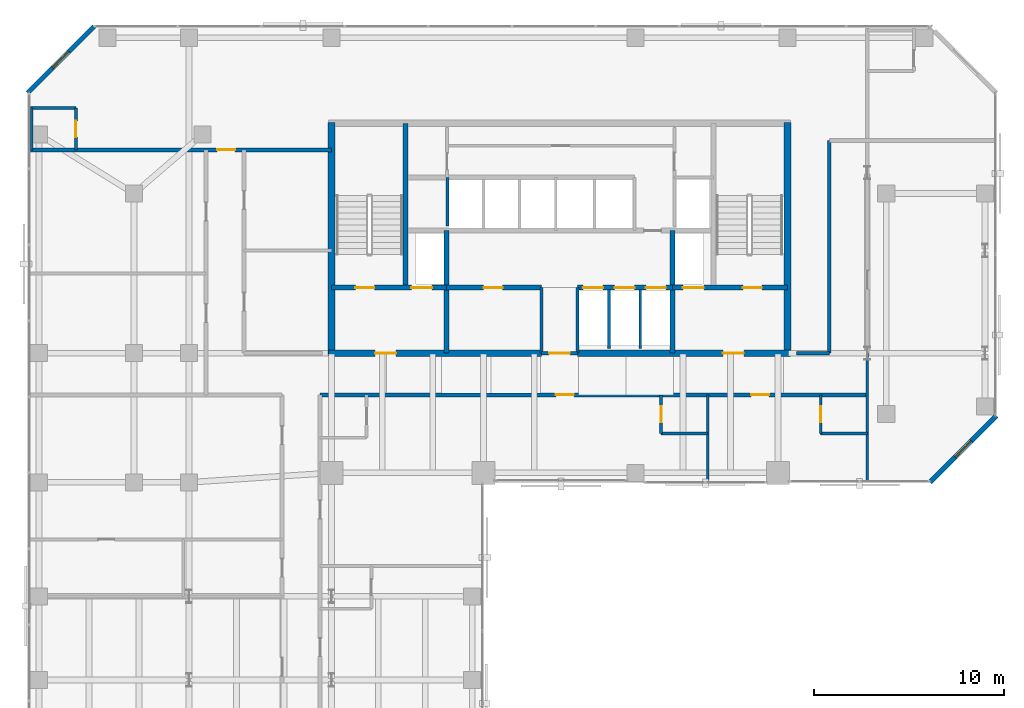
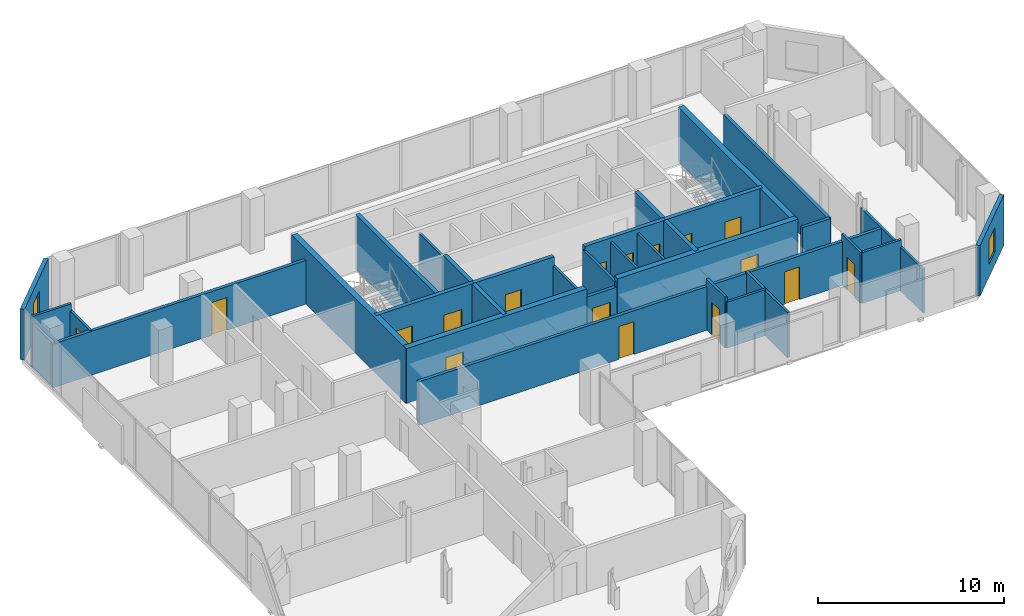
# One storey, part 29 of 33: 32 walls, 17 doors, 2 windows, 19 openings.
"""IFC4 building model written with IfcOpenShell, lengths in metres."""

from ifc_helpers import new_model, si_unit, direction, frame, frame_2d, origin, place, context, subcontext, project, spatial, rectangle, extrude, material, layer, layer_set, type_object, element, fill, save


model = new_model("IFC4")

# Units and contexts
model_context = context("Model", 3, precision=1e-05, world=origin(), true_north=direction((0.0, 1.0)))
body_context = subcontext(model_context, "Body", "Model", "MODEL_VIEW")
ifc_project = project(units=[si_unit("LENGTHUNIT", "METRE"), si_unit("AREAUNIT", "SQUARE_METRE"), si_unit("VOLUMEUNIT", "CUBIC_METRE"), si_unit("PLANEANGLEUNIT", "RADIAN"), si_unit("MASSUNIT", "GRAM", prefix="KILO")], contexts=[model_context])

# Site, building, storey
site_placement = place(None, origin())
site = spatial("IfcSite", under=ifc_project, at=site_placement, CompositionType="ELEMENT")
building_placement = place(site_placement, origin())
building = spatial("IfcBuilding", under=site, at=building_placement, Name="Catumbela Crestline Tower", CompositionType="ELEMENT")
storey_placement = place(building_placement, frame((0.0, 0.0, 108.0)))
storey = spatial("IfcBuildingStorey", under=building, at=storey_placement, Name="L27", CompositionType="ELEMENT", Elevation=108.0)

# Walls
ifc_material_1 = material(Name="Concrete C50/60", Category="concrete")
ifc_layer_1 = layer(ifc_material_1, 0.25, Name="Concrete C50/60")
ifc_layer_set_1 = layer_set([ifc_layer_1], Name="Concrete C50/60")
wall_type_1 = type_object("IfcWallType", Name="CW-250D", PredefinedType="SHEAR", material=ifc_layer_set_1)
wall_1_placement = place(storey_placement, frame((19.9, 34.25, 0.0), z_axis=(0.0, 0.0, 1.0), x_axis=(0.0, 1.0, 0.0)))
element("IfcWall", 1, at=wall_1_placement, inside=storey, type_object=wall_type_1, Name="L27 Structural Core Shear Wall WWEB", PredefinedType="SHEAR", context=body_context, shape_type="SweptSolid", body=[
    extrude(rectangle(XDim=8.65, YDim=0.25, at=frame_2d((4.325, 0.0))), origin(), (0.0, 0.0, 1.0), 3.6),
])
for number, where, z_axis, x_axis, name in (
    (2, (22.05, 30.8, 0.0), (0.0, 0.0, 1.0), (0.0, 1.0, 0.0), "L27 Structural Core Shear Wall FFW"),
    (3, (33.95, 30.8, 0.0), (0.0, 0.0, 1.0), (0.0, 1.0, 0.0), "L27 Structural Core Shear Wall FFE"),
):
    element("IfcWall", number, at=place(storey_placement, frame(where, z_axis=z_axis, x_axis=x_axis)), inside=storey, type_object=wall_type_1, Name=name, PredefinedType="SHEAR", context=body_context, shape_type="SweptSolid", body=[
        extrude(rectangle(XDim=6.45, YDim=0.25, at=frame_2d((3.225, 0.0))), origin(), (0.0, 0.0, 1.0), 3.6),
    ])

# Wall, openings, doors
wall_2_placement = place(storey_placement, frame((16.0, 34.25, 0.0), z_axis=(0.0, 0.0, 1.0), x_axis=(1.0, 0.0, 0.0)))
wall_2 = element("IfcWall", 4, at=wall_2_placement, inside=storey, type_object=wall_type_1, Name="L27 Structural Core Shear Wall ST1S", PredefinedType="SHEAR", context=body_context, shape_type="SweptSolid", body=[
    extrude(rectangle(XDim=6.05, YDim=0.25, at=frame_2d((3.025, 0.0))), origin(), (0.0, 0.0, 1.0), 3.6),
])
opening_1_placement = place(wall_2_placement, frame((1.25, 0.0, 0.0)))
opening_1 = element("IfcOpeningElement", 5, at=opening_1_placement, cuts=wall_2, Name="Opening DF9-100", PredefinedType="OPENING", context=body_context, shape_type="SweptSolid", body=[
    extrude(rectangle(XDim=1.0, YDim=2.15, at=frame_2d((0.5, 1.075))), frame((0.0, 0.135, 0.0), z_axis=(0.0, -1.0, 0.0), x_axis=(1.0, 0.0, 0.0)), (0.0, 0.0, 1.0), 0.27),
])
opening_2_placement = place(wall_2_placement, frame((4.2, 0.0, 0.0)))
opening_2 = element("IfcOpeningElement", 6, at=opening_2_placement, cuts=wall_2, Name="Opening LD-110", PredefinedType="OPENING", context=body_context, shape_type="SweptSolid", body=[
    extrude(rectangle(XDim=1.1, YDim=2.15, at=frame_2d((0.55, 1.075))), frame((0.0, 0.135, 0.0), z_axis=(0.0, -1.0, 0.0), x_axis=(1.0, 0.0, 0.0)), (0.0, 0.0, 1.0), 0.27),
])
ifc_material_2 = material(Name="Stainless steel EN 1.4401", Category="steel")
door_type_1 = type_object("IfcDoorType", Name="DF9-100", OperationType="NOTDEFINED", PredefinedType="DOOR", material=ifc_material_2)
door_1_placement = place(opening_1_placement, origin())
door_1 = element("IfcDoor", 7, at=door_1_placement, inside=storey, type_object=door_type_1, Name="L27 Interior Door DR-L27-ST01", OperationType="SINGLE_SWING_LEFT", OverallHeight=2.15, OverallWidth=1.0, PredefinedType="DOOR", context=body_context, shape_type="SweptSolid", body=[
    extrude(rectangle(XDim=1.0, YDim=2.15, at=frame_2d((0.5, 1.075))), frame((0.0, 0.025, 0.0), z_axis=(0.0, -1.0, 0.0), x_axis=(1.0, 0.0, 0.0)), (0.0, 0.0, 1.0), 0.05),
])
fill(opening_1, door_1)
door_type_2 = type_object("IfcDoorType", Name="LD-110", OperationType="NOTDEFINED", PredefinedType="DOOR", material=ifc_material_2)
door_2_placement = place(opening_2_placement, origin())
door_2 = element("IfcDoor", 8, at=door_2_placement, inside=storey, type_object=door_type_2, Name="L27 Lift Landing Sliding Door FL-01", OperationType="DOUBLE_DOOR_SLIDING", OverallHeight=2.15, OverallWidth=1.1, PredefinedType="DOOR", context=body_context, shape_type="SweptSolid", body=[
    extrude(rectangle(XDim=1.1, YDim=2.15, at=frame_2d((0.55, 1.075))), frame((0.0, 0.025, 0.0), z_axis=(0.0, -1.0, 0.0), x_axis=(1.0, 0.0, 0.0)), (0.0, 0.0, 1.0), 0.05),
])
fill(opening_2, door_2)

wall_3_placement = place(storey_placement, frame((33.95, 34.25, 0.0), z_axis=(0.0, 0.0, 1.0), x_axis=(1.0, 0.0, 0.0)))
wall_3 = element("IfcWall", 9, at=wall_3_placement, inside=storey, type_object=wall_type_1, Name="L27 Structural Core Shear Wall ST2S", PredefinedType="SHEAR", context=body_context, shape_type="SweptSolid", body=[
    extrude(rectangle(XDim=6.05, YDim=0.25, at=frame_2d((3.025, 0.0))), origin(), (0.0, 0.0, 1.0), 3.6),
])
opening_3_placement = place(wall_3_placement, frame((3.7, 0.0, 0.0)))
opening_3 = element("IfcOpeningElement", 10, at=opening_3_placement, cuts=wall_3, Name="Opening DF9-100", PredefinedType="OPENING", context=body_context, shape_type="SweptSolid", body=[
    extrude(rectangle(XDim=1.0, YDim=2.15, at=frame_2d((0.5, 1.075))), frame((0.0, 0.135, 0.0), z_axis=(0.0, -1.0, 0.0), x_axis=(1.0, 0.0, 0.0)), (0.0, 0.0, 1.0), 0.27),
])
opening_4_placement = place(wall_3_placement, frame((0.55, 0.0, 0.0)))
opening_4 = element("IfcOpeningElement", 11, at=opening_4_placement, cuts=wall_3, Name="Opening LD-110", PredefinedType="OPENING", context=body_context, shape_type="SweptSolid", body=[
    extrude(rectangle(XDim=1.1, YDim=2.15, at=frame_2d((0.55, 1.075))), frame((0.0, 0.135, 0.0), z_axis=(0.0, -1.0, 0.0), x_axis=(1.0, 0.0, 0.0)), (0.0, 0.0, 1.0), 0.27),
])
door_3_placement = place(opening_3_placement, origin())
door_3 = element("IfcDoor", 12, at=door_3_placement, inside=storey, type_object=door_type_1, Name="L27 Interior Door DR-L27-ST02", OperationType="SINGLE_SWING_RIGHT", OverallHeight=2.15, OverallWidth=1.0, PredefinedType="DOOR", context=body_context, shape_type="SweptSolid", body=[
    extrude(rectangle(XDim=1.0, YDim=2.15, at=frame_2d((0.5, 1.075))), frame((0.0, 0.025, 0.0), z_axis=(0.0, -1.0, 0.0), x_axis=(1.0, 0.0, 0.0)), (0.0, 0.0, 1.0), 0.05),
])
fill(opening_3, door_3)
door_4_placement = place(opening_4_placement, origin())
door_4 = element("IfcDoor", 13, at=door_4_placement, inside=storey, type_object=door_type_2, Name="L27 Lift Landing Sliding Door FL-02", OperationType="DOUBLE_DOOR_SLIDING", OverallHeight=2.15, OverallWidth=1.1, PredefinedType="DOOR", context=body_context, shape_type="SweptSolid", body=[
    extrude(rectangle(XDim=1.1, YDim=2.15, at=frame_2d((0.55, 1.075))), frame((0.0, 0.025, 0.0), z_axis=(0.0, -1.0, 0.0), x_axis=(1.0, 0.0, 0.0)), (0.0, 0.0, 1.0), 0.05),
])
fill(opening_4, door_4)

# Wall, opening, door
wall_4_placement = place(storey_placement, frame((22.05, 34.25, 0.0), z_axis=(0.0, 0.0, 1.0), x_axis=(1.0, 0.0, 0.0)))
wall_4 = element("IfcWall", 14, at=wall_4_placement, inside=storey, type_object=wall_type_1, Name="L27 Structural Core Shear Wall LIFTS-W", PredefinedType="SHEAR", context=body_context, shape_type="SweptSolid", body=[
    extrude(rectangle(XDim=5.0, YDim=0.25, at=frame_2d((2.5, 0.0))), origin(), (0.0, 0.0, 1.0), 3.6),
])
opening_5_placement = place(wall_4_placement, frame((1.95, 0.0, 0.0)))
opening_5 = element("IfcOpeningElement", 15, at=opening_5_placement, cuts=wall_4, Name="Opening DF9-100", PredefinedType="OPENING", context=body_context, shape_type="SweptSolid", body=[
    extrude(rectangle(XDim=1.0, YDim=2.15, at=frame_2d((0.5, 1.075))), frame((0.0, 0.135, 0.0), z_axis=(0.0, -1.0, 0.0), x_axis=(1.0, 0.0, 0.0)), (0.0, 0.0, 1.0), 0.27),
])
door_5_placement = place(opening_5_placement, origin())
door_5 = element("IfcDoor", 16, at=door_5_placement, inside=storey, type_object=door_type_1, Name="L27 Interior Door DR-L27-RECL1", OperationType="SINGLE_SWING_LEFT", OverallHeight=2.15, OverallWidth=1.0, PredefinedType="DOOR", context=body_context, shape_type="SweptSolid", body=[
    extrude(rectangle(XDim=1.0, YDim=2.15, at=frame_2d((0.5, 1.075))), frame((0.0, 0.025, 0.0), z_axis=(0.0, -1.0, 0.0), x_axis=(1.0, 0.0, 0.0)), (0.0, 0.0, 1.0), 0.05),
])
fill(opening_5, door_5)

# Wall, openings, doors
wall_5_placement = place(storey_placement, frame((28.95, 34.25, 0.0), z_axis=(0.0, 0.0, 1.0), x_axis=(1.0, 0.0, 0.0)))
wall_5 = element("IfcWall", 17, at=wall_5_placement, inside=storey, type_object=wall_type_1, Name="L27 Structural Core Shear Wall LIFTS-E", PredefinedType="SHEAR", context=body_context, shape_type="SweptSolid", body=[
    extrude(rectangle(XDim=5.0, YDim=0.25, at=frame_2d((2.5, 0.0))), origin(), (0.0, 0.0, 1.0), 3.6),
])
opening_6_placement = place(wall_5_placement, frame((0.3, 0.0, 0.0)))
opening_6 = element("IfcOpeningElement", 18, at=opening_6_placement, cuts=wall_5, Name="Opening LD-105", PredefinedType="OPENING", context=body_context, shape_type="SweptSolid", body=[
    extrude(rectangle(XDim=1.05, YDim=2.15, at=frame_2d((0.525, 1.075))), frame((0.0, 0.135, 0.0), z_axis=(0.0, -1.0, 0.0), x_axis=(1.0, 0.0, 0.0)), (0.0, 0.0, 1.0), 0.27),
])
opening_7_placement = place(wall_5_placement, frame((1.95, 0.0, 0.0)))
opening_7 = element("IfcOpeningElement", 19, at=opening_7_placement, cuts=wall_5, Name="Opening LD-105", PredefinedType="OPENING", context=body_context, shape_type="SweptSolid", body=[
    extrude(rectangle(XDim=1.05, YDim=2.15, at=frame_2d((0.525, 1.075))), frame((0.0, 0.135, 0.0), z_axis=(0.0, -1.0, 0.0), x_axis=(1.0, 0.0, 0.0)), (0.0, 0.0, 1.0), 0.27),
])
opening_8_placement = place(wall_5_placement, frame((3.6, 0.0, 0.0)))
opening_8 = element("IfcOpeningElement", 20, at=opening_8_placement, cuts=wall_5, Name="Opening LD-105", PredefinedType="OPENING", context=body_context, shape_type="SweptSolid", body=[
    extrude(rectangle(XDim=1.05, YDim=2.15, at=frame_2d((0.525, 1.075))), frame((0.0, 0.135, 0.0), z_axis=(0.0, -1.0, 0.0), x_axis=(1.0, 0.0, 0.0)), (0.0, 0.0, 1.0), 0.27),
])
door_type_3 = type_object("IfcDoorType", Name="LD-105", OperationType="NOTDEFINED", PredefinedType="DOOR", material=ifc_material_2)
door_6_placement = place(opening_6_placement, origin())
door_6 = element("IfcDoor", 21, at=door_6_placement, inside=storey, type_object=door_type_3, Name="L27 Lift Landing Sliding Door PL-M1", OperationType="DOUBLE_DOOR_SLIDING", OverallHeight=2.15, OverallWidth=1.05, PredefinedType="DOOR", context=body_context, shape_type="SweptSolid", body=[
    extrude(rectangle(XDim=1.05, YDim=2.15, at=frame_2d((0.525, 1.075))), frame((0.0, 0.025, 0.0), z_axis=(0.0, -1.0, 0.0), x_axis=(1.0, 0.0, 0.0)), (0.0, 0.0, 1.0), 0.05),
])
fill(opening_6, door_6)
door_7_placement = place(opening_7_placement, origin())
door_7 = element("IfcDoor", 22, at=door_7_placement, inside=storey, type_object=door_type_3, Name="L27 Lift Landing Sliding Door PL-M2", OperationType="DOUBLE_DOOR_SLIDING", OverallHeight=2.15, OverallWidth=1.05, PredefinedType="DOOR", context=body_context, shape_type="SweptSolid", body=[
    extrude(rectangle(XDim=1.05, YDim=2.15, at=frame_2d((0.525, 1.075))), frame((0.0, 0.025, 0.0), z_axis=(0.0, -1.0, 0.0), x_axis=(1.0, 0.0, 0.0)), (0.0, 0.0, 1.0), 0.05),
])
fill(opening_7, door_7)
door_8_placement = place(opening_8_placement, origin())
door_8 = element("IfcDoor", 23, at=door_8_placement, inside=storey, type_object=door_type_3, Name="L27 Lift Landing Sliding Door PL-M3", OperationType="DOUBLE_DOOR_SLIDING", OverallHeight=2.15, OverallWidth=1.05, PredefinedType="DOOR", context=body_context, shape_type="SweptSolid", body=[
    extrude(rectangle(XDim=1.05, YDim=2.15, at=frame_2d((0.525, 1.075))), frame((0.0, 0.025, 0.0), z_axis=(0.0, -1.0, 0.0), x_axis=(1.0, 0.0, 0.0)), (0.0, 0.0, 1.0), 0.05),
])
fill(opening_8, door_8)

# Walls
ifc_layer_2 = layer(ifc_material_1, 0.35, Name="Concrete C50/60")
ifc_layer_set_2 = layer_set([ifc_layer_2], Name="Concrete C50/60")
wall_type_2 = type_object("IfcWallType", Name="CW-350B", PredefinedType="SHEAR", material=ifc_layer_set_2)
for number, where, z_axis, x_axis, name in (
    (24, (16.0, 30.65, 0.0), (0.0, 0.0, 1.0), (0.0, 1.0, 0.0), "L27 Structural Core Shear Wall W"),
    (25, (40.0, 30.65, 0.0), (0.0, 0.0, 1.0), (0.0, 1.0, 0.0), "L27 Structural Core Shear Wall E"),
):
    element("IfcWall", number, at=place(storey_placement, frame(where, z_axis=z_axis, x_axis=x_axis)), inside=storey, type_object=wall_type_2, Name=name, PredefinedType="SHEAR", context=body_context, shape_type="SweptSolid", body=[
        extrude(rectangle(XDim=12.3, YDim=0.35, at=frame_2d((6.15, 0.0))), origin(), (0.0, 0.0, 1.0), 3.6),
    ])

# Wall, opening, door
wall_6_placement = place(storey_placement, frame((15.85, 30.8, 0.0), z_axis=(0.0, 0.0, 1.0), x_axis=(1.0, 0.0, 0.0)))
wall_6 = element("IfcWall", 26, at=wall_6_placement, inside=storey, type_object=wall_type_2, Name="L27 Structural Core Shear Wall SW", PredefinedType="SHEAR", context=body_context, shape_type="SweptSolid", body=[
    extrude(rectangle(XDim=11.2, YDim=0.35, at=frame_2d((5.6, 0.0))), origin(), (0.0, 0.0, 1.0), 3.6),
])
opening_9_placement = place(wall_6_placement, frame((2.45, 0.0, 0.0)))
opening_9 = element("IfcOpeningElement", 27, at=opening_9_placement, cuts=wall_6, Name="Opening DF9-110", PredefinedType="OPENING", context=body_context, shape_type="SweptSolid", body=[
    extrude(rectangle(XDim=1.1, YDim=2.15, at=frame_2d((0.55, 1.075))), frame((0.0, 0.185, 0.0), z_axis=(0.0, -1.0, 0.0), x_axis=(1.0, 0.0, 0.0)), (0.0, 0.0, 1.0), 0.37),
])
door_type_4 = type_object("IfcDoorType", Name="DF9-110", OperationType="NOTDEFINED", PredefinedType="DOOR", material=ifc_material_2)
door_9_placement = place(opening_9_placement, origin())
door_9 = element("IfcDoor", 28, at=door_9_placement, inside=storey, type_object=door_type_4, Name="L27 Interior Door DR-L27-FFW-S", OperationType="SINGLE_SWING_LEFT", OverallHeight=2.15, OverallWidth=1.1, PredefinedType="DOOR", context=body_context, shape_type="SweptSolid", body=[
    extrude(rectangle(XDim=1.1, YDim=2.15, at=frame_2d((0.55, 1.075))), frame((0.0, 0.025, 0.0), z_axis=(0.0, -1.0, 0.0), x_axis=(1.0, 0.0, 0.0)), (0.0, 0.0, 1.0), 0.05),
])
fill(opening_9, door_9)

wall_7_placement = place(storey_placement, frame((28.95, 30.8, 0.0), z_axis=(0.0, 0.0, 1.0), x_axis=(1.0, 0.0, 0.0)))
wall_7 = element("IfcWall", 29, at=wall_7_placement, inside=storey, type_object=wall_type_2, Name="L27 Structural Core Shear Wall SE", PredefinedType="SHEAR", context=body_context, shape_type="SweptSolid", body=[
    extrude(rectangle(XDim=11.2, YDim=0.35, at=frame_2d((5.6, 0.0))), origin(), (0.0, 0.0, 1.0), 3.6),
])
opening_10_placement = place(wall_7_placement, frame((7.65, 0.0, 0.0)))
opening_10 = element("IfcOpeningElement", 30, at=opening_10_placement, cuts=wall_7, Name="Opening DF9-110", PredefinedType="OPENING", context=body_context, shape_type="SweptSolid", body=[
    extrude(rectangle(XDim=1.1, YDim=2.15, at=frame_2d((0.55, 1.075))), frame((0.0, 0.185, 0.0), z_axis=(0.0, -1.0, 0.0), x_axis=(1.0, 0.0, 0.0)), (0.0, 0.0, 1.0), 0.37),
])
door_10_placement = place(opening_10_placement, origin())
door_10 = element("IfcDoor", 31, at=door_10_placement, inside=storey, type_object=door_type_4, Name="L27 Interior Door DR-L27-FFE-S", OperationType="SINGLE_SWING_RIGHT", OverallHeight=2.15, OverallWidth=1.1, PredefinedType="DOOR", context=body_context, shape_type="SweptSolid", body=[
    extrude(rectangle(XDim=1.1, YDim=2.15, at=frame_2d((0.55, 1.075))), frame((0.0, 0.025, 0.0), z_axis=(0.0, -1.0, 0.0), x_axis=(1.0, 0.0, 0.0)), (0.0, 0.0, 1.0), 0.05),
])
fill(opening_10, door_10)

ifc_material_3 = material(Name="Acoustic gypsum and mineral-wool partition")
ifc_layer_3 = layer(ifc_material_3, 0.2, Name="Acoustic gypsum and mineral-wool partition")
ifc_layer_set_3 = layer_set([ifc_layer_3], Name="Acoustic gypsum and mineral-wool partition")
wall_type_3 = type_object("IfcWallType", Name="WC-200", PredefinedType="PARTITIONING", material=ifc_layer_set_3)
wall_8_placement = place(storey_placement, frame((27.05, 30.8, 0.0), z_axis=(0.0, 0.0, 1.0), x_axis=(1.0, 0.0, 0.0)))
wall_8 = element("IfcWall", 32, at=wall_8_placement, inside=storey, type_object=wall_type_3, Name="L27 Interior Partition PW-L27-CLOBS", PredefinedType="PARTITIONING", context=body_context, shape_type="SweptSolid", body=[
    extrude(rectangle(XDim=1.9, YDim=0.2, at=frame_2d((0.95, 0.0))), origin(), (0.0, 0.0, 1.0), 3.01),
])
opening_11_placement = place(wall_8_placement, frame((0.4, 0.0, 0.0)))
opening_11 = element("IfcOpeningElement", 33, at=opening_11_placement, cuts=wall_8, Name="Opening DF9-110", PredefinedType="OPENING", context=body_context, shape_type="SweptSolid", body=[
    extrude(rectangle(XDim=1.1, YDim=2.15, at=frame_2d((0.55, 1.075))), frame((0.0, 0.11, 0.0), z_axis=(0.0, -1.0, 0.0), x_axis=(1.0, 0.0, 0.0)), (0.0, 0.0, 1.0), 0.22),
])
door_11_placement = place(opening_11_placement, origin())
door_11 = element("IfcDoor", 34, at=door_11_placement, inside=storey, type_object=door_type_4, Name="L27 Interior Door DR-L27-CLOBS", OperationType="SINGLE_SWING_LEFT", OverallHeight=2.15, OverallWidth=1.1, PredefinedType="DOOR", context=body_context, shape_type="SweptSolid", body=[
    extrude(rectangle(XDim=1.1, YDim=2.15, at=frame_2d((0.55, 1.075))), frame((0.0, 0.025, 0.0), z_axis=(0.0, -1.0, 0.0), x_axis=(1.0, 0.0, 0.0)), (0.0, 0.0, 1.0), 0.05),
])
fill(opening_11, door_11)

# Wall, openings, doors
wall_9_placement = place(storey_placement, frame((15.4, 28.6, 0.0), z_axis=(0.0, 0.0, 1.0), x_axis=(1.0, 0.0, 0.0)))
wall_9 = element("IfcWall", 35, at=wall_9_placement, inside=storey, type_object=wall_type_3, Name="L27 Interior Partition PW-L27-Z2CW-N2", PredefinedType="PARTITIONING", context=body_context, shape_type="SweptSolid", body=[
    extrude(rectangle(XDim=28.8, YDim=0.2, at=frame_2d((14.4, 0.0))), origin(), (0.0, 0.0, 1.0), 2.87),
])
opening_12_placement = place(wall_9_placement, frame((12.41, 0.0, 0.0)))
opening_12 = element("IfcOpeningElement", 36, at=opening_12_placement, cuts=wall_9, Name="Opening DF6-095", PredefinedType="OPENING", context=body_context, shape_type="SweptSolid", body=[
    extrude(rectangle(XDim=0.95, YDim=2.15, at=frame_2d((0.475, 1.075))), frame((0.0, 0.11, 0.0), z_axis=(0.0, -1.0, 0.0), x_axis=(1.0, 0.0, 0.0)), (0.0, 0.0, 1.0), 0.22),
])
opening_13_placement = place(wall_9_placement, frame((22.68, 0.0, 0.0)))
opening_13 = element("IfcOpeningElement", 37, at=opening_13_placement, cuts=wall_9, Name="Opening DF6-095", PredefinedType="OPENING", context=body_context, shape_type="SweptSolid", body=[
    extrude(rectangle(XDim=0.95, YDim=2.15, at=frame_2d((0.475, 1.075))), frame((0.0, 0.11, 0.0), z_axis=(0.0, -1.0, 0.0), x_axis=(1.0, 0.0, 0.0)), (0.0, 0.0, 1.0), 0.22),
])
ifc_material_4 = material(Name="Aluminium alloy AW-6060-T66", Category="aluminium")
door_type_5 = type_object("IfcDoorType", Name="DF6-095", OperationType="NOTDEFINED", PredefinedType="DOOR", material=ifc_material_4)
door_12_placement = place(opening_12_placement, origin())
door_12 = element("IfcDoor", 38, at=door_12_placement, inside=storey, type_object=door_type_5, Name="L27 Interior Door DR-L27-SS1-ENT", OperationType="SINGLE_SWING_RIGHT", OverallHeight=2.15, OverallWidth=0.95, PredefinedType="DOOR", context=body_context, shape_type="SweptSolid", body=[
    extrude(rectangle(XDim=0.95, YDim=2.15, at=frame_2d((0.475, 1.075))), frame((0.0, 0.025, 0.0), z_axis=(0.0, -1.0, 0.0), x_axis=(1.0, 0.0, 0.0)), (0.0, 0.0, 1.0), 0.05),
])
fill(opening_12, door_12)
door_13_placement = place(opening_13_placement, origin())
door_13 = element("IfcDoor", 39, at=door_13_placement, inside=storey, type_object=door_type_5, Name="L27 Interior Door DR-L27-SS2-ENT", OperationType="SINGLE_SWING_LEFT", OverallHeight=2.15, OverallWidth=0.95, PredefinedType="DOOR", context=body_context, shape_type="SweptSolid", body=[
    extrude(rectangle(XDim=0.95, YDim=2.15, at=frame_2d((0.475, 1.075))), frame((0.0, 0.025, 0.0), z_axis=(0.0, -1.0, 0.0), x_axis=(1.0, 0.0, 0.0)), (0.0, 0.0, 1.0), 0.05),
])
fill(opening_13, door_13)

# Walls
wall_10_placement = place(storey_placement, frame((40.47, 30.8, 0.0), z_axis=(0.0, 0.0, 1.0), x_axis=(1.0, 0.0, 0.0)))
element("IfcWall", 40, at=wall_10_placement, inside=storey, type_object=wall_type_3, Name="L27 Interior Partition PW-L27-Z2CW-E1", PredefinedType="PARTITIONING", context=body_context, shape_type="SweptSolid", body=[
    extrude(rectangle(XDim=1.73, YDim=0.2, at=frame_2d((0.865, 0.0))), origin(), (0.0, 0.0, 1.0), 2.87),
])
wall_11_placement = place(storey_placement, frame((42.2, 30.8, 0.0), z_axis=(0.0, 0.0, 1.0), x_axis=(0.0, 1.0, 0.0)))
element("IfcWall", 41, at=wall_11_placement, inside=storey, type_object=wall_type_3, Name="L27 Interior Partition PW-L27-Z2CW-E2", PredefinedType="PARTITIONING", context=body_context, shape_type="SweptSolid", body=[
    extrude(rectangle(XDim=11.2, YDim=0.2, at=frame_2d((5.6, 0.0))), origin(), (0.0, 0.0, 1.0), 2.87),
])

# Wall, opening, door
wall_12_placement = place(storey_placement, frame((0.1, 41.5, 0.0), z_axis=(0.0, 0.0, 1.0), x_axis=(1.0, 0.0, 0.0)))
wall_12 = element("IfcWall", 42, at=wall_12_placement, inside=storey, type_object=wall_type_3, Name="L27 Interior Partition PW-L27-Z2NWT-ENT", PredefinedType="PARTITIONING", context=body_context, shape_type="SweptSolid", body=[
    extrude(rectangle(XDim=15.9, YDim=0.2, at=frame_2d((7.95, 0.0))), origin(), (0.0, 0.0, 1.0), 2.87),
])
opening_14_placement = place(wall_12_placement, frame((9.8771, 0.0, 0.0)))
opening_14 = element("IfcOpeningElement", 43, at=opening_14_placement, cuts=wall_12, Name="Opening DF6-095", PredefinedType="OPENING", context=body_context, shape_type="SweptSolid", body=[
    extrude(rectangle(XDim=0.95, YDim=2.15, at=frame_2d((0.475, 1.075))), frame((0.0, 0.11, 0.0), z_axis=(0.0, -1.0, 0.0), x_axis=(1.0, 0.0, 0.0)), (0.0, 0.0, 1.0), 0.22),
])
door_14_placement = place(opening_14_placement, origin())
door_14 = element("IfcDoor", 44, at=door_14_placement, inside=storey, type_object=door_type_5, Name="L27 Interior Door DR-L27-Z2NWT-ENT", OperationType="SINGLE_SWING_RIGHT", OverallHeight=2.15, OverallWidth=0.95, PredefinedType="DOOR", context=body_context, shape_type="SweptSolid", body=[
    extrude(rectangle(XDim=0.95, YDim=2.15, at=frame_2d((0.475, 1.075))), frame((0.0, 0.025, 0.0), z_axis=(0.0, -1.0, 0.0), x_axis=(1.0, 0.0, 0.0)), (0.0, 0.0, 1.0), 0.05),
])
fill(opening_14, door_14)

# Wall, opening, window
ifc_material_5 = material(Name="Angolan grey-ochre granite", Category="masonry")
ifc_layer_4 = layer(ifc_material_5, 0.25, Name="Angolan grey-ochre granite")
ifc_layer_set_4 = layer_set([ifc_layer_4], Name="Angolan grey-ochre granite")
wall_type_4 = type_object("IfcWallType", Name="WE-250", PredefinedType="STANDARD", material=ifc_layer_set_4)
wall_13_placement = place(storey_placement, frame((47.5, 24.0, 0.0), z_axis=(0.0, 0.0, 1.0), x_axis=(0.707106781187, 0.707106781187, 0.0)))
wall_13 = element("IfcWall", 45, at=wall_13_placement, inside=storey, type_object=wall_type_4, Name="L27 Granite Punched Window Wall 4-1", PredefinedType="STANDARD", context=body_context, shape_type="SweptSolid", body=[
    extrude(rectangle(XDim=4.9497, YDim=0.25, at=frame_2d((2.4748, 0.0))), origin(), (0.0, 0.0, 1.0), 3.33),
])
opening_15_placement = place(wall_13_placement, frame((1.8748, 0.0, 0.85)))
opening_15 = element("IfcOpeningElement", 46, at=opening_15_placement, cuts=wall_13, Name="Opening WN-02", PredefinedType="OPENING", context=body_context, shape_type="SweptSolid", body=[
    extrude(rectangle(XDim=1.2, YDim=1.6, at=frame_2d((0.6, 0.8))), frame((0.0, 0.135, 0.0), z_axis=(0.0, -1.0, 0.0), x_axis=(1.0, 0.0, 0.0)), (0.0, 0.0, 1.0), 0.27),
])
ifc_material_6 = material(Name="Low-E laminated solar-control double glazing", Category="glass")
window_type = type_object("IfcWindowType", Name="WO-1200", PartitioningType="SINGLE_PANEL", PredefinedType="WINDOW", material=ifc_material_6)
window_1_placement = place(opening_15_placement, origin())
window_1 = element("IfcWindow", 47, at=window_1_placement, inside=storey, type_object=window_type, Name="L27 Facade Vision Window 156", OverallHeight=1.6, OverallWidth=1.2, PartitioningType="SINGLE_PANEL", PredefinedType="WINDOW", context=body_context, shape_type="SweptSolid", body=[
    extrude(rectangle(XDim=1.2, YDim=1.6, at=frame_2d((0.6, 0.8))), frame((0.0, 0.03, 0.0), z_axis=(0.0, -1.0, 0.0), x_axis=(1.0, 0.0, 0.0)), (0.0, 0.0, 1.0), 0.06),
])
fill(opening_15, window_1)

wall_14_placement = place(storey_placement, frame((3.5, 48.0, 0.0), z_axis=(0.0, 0.0, 1.0), x_axis=(-0.707106781187, -0.707106781187, 0.0)))
wall_14 = element("IfcWall", 48, at=wall_14_placement, inside=storey, type_object=wall_type_4, Name="L27 Granite Punched Window Wall 8-1", PredefinedType="STANDARD", context=body_context, shape_type="SweptSolid", body=[
    extrude(rectangle(XDim=4.9497, YDim=0.25, at=frame_2d((2.4748, 0.0))), origin(), (0.0, 0.0, 1.0), 3.33),
])
opening_16_placement = place(wall_14_placement, frame((1.8748, 0.0, 0.85)))
opening_16 = element("IfcOpeningElement", 49, at=opening_16_placement, cuts=wall_14, Name="Opening WN-02", PredefinedType="OPENING", context=body_context, shape_type="SweptSolid", body=[
    extrude(rectangle(XDim=1.2, YDim=1.6, at=frame_2d((0.6, 0.8))), frame((0.0, 0.135, 0.0), z_axis=(0.0, -1.0, 0.0), x_axis=(1.0, 0.0, 0.0)), (0.0, 0.0, 1.0), 0.27),
])
window_2_placement = place(opening_16_placement, origin())
window_2 = element("IfcWindow", 50, at=window_2_placement, inside=storey, type_object=window_type, Name="L27 Facade Vision Window 158", OverallHeight=1.6, OverallWidth=1.2, PartitioningType="SINGLE_PANEL", PredefinedType="WINDOW", context=body_context, shape_type="SweptSolid", body=[
    extrude(rectangle(XDim=1.2, YDim=1.6, at=frame_2d((0.6, 0.8))), frame((0.0, 0.03, 0.0), z_axis=(0.0, -1.0, 0.0), x_axis=(1.0, 0.0, 0.0)), (0.0, 0.0, 1.0), 0.06),
])
fill(opening_16, window_2)

# Wall
ifc_layer_5 = layer(ifc_material_3, 0.15, Name="Acoustic gypsum and mineral-wool partition")
ifc_layer_set_5 = layer_set([ifc_layer_5], Name="Acoustic gypsum and mineral-wool partition")
wall_type_5 = type_object("IfcWallType", Name="WP-150", PredefinedType="PARTITIONING", material=ifc_layer_set_5)
wall_15_placement = place(storey_placement, frame((0.1, 43.7, 0.0), z_axis=(0.0, 0.0, 1.0), x_axis=(1.0, 0.0, 0.0)))
element("IfcWall", 51, at=wall_15_placement, inside=storey, type_object=wall_type_5, Name="L27 Interior Partition PW-L27-Z2NWT-BHW", PredefinedType="PARTITIONING", context=body_context, shape_type="SweptSolid", body=[
    extrude(rectangle(XDim=2.45, YDim=0.15, at=frame_2d((1.225, 0.0))), origin(), (0.0, 0.0, 1.0), 3.33),
])

# Wall, opening, door
wall_16_placement = place(storey_placement, frame((2.55, 41.5, 0.0), z_axis=(0.0, 0.0, 1.0), x_axis=(0.0, 1.0, 0.0)))
wall_16 = element("IfcWall", 52, at=wall_16_placement, inside=storey, type_object=wall_type_5, Name="L27 Interior Partition PW-L27-Z2NWT-BEW", PredefinedType="PARTITIONING", context=body_context, shape_type="SweptSolid", body=[
    extrude(rectangle(XDim=2.2, YDim=0.15, at=frame_2d((1.1, 0.0))), origin(), (0.0, 0.0, 1.0), 2.87),
])
opening_17_placement = place(wall_16_placement, frame((0.675, 0.0, 0.0)))
opening_17 = element("IfcOpeningElement", 53, at=opening_17_placement, cuts=wall_16, Name="Opening DI-085", PredefinedType="OPENING", context=body_context, shape_type="SweptSolid", body=[
    extrude(rectangle(XDim=0.85, YDim=2.15, at=frame_2d((0.425, 1.075))), frame((0.0, 0.085, 0.0), z_axis=(0.0, -1.0, 0.0), x_axis=(1.0, 0.0, 0.0)), (0.0, 0.0, 1.0), 0.17),
])
door_type_6 = type_object("IfcDoorType", Name="DI-085", OperationType="NOTDEFINED", PredefinedType="DOOR", material=ifc_material_4)
door_15_placement = place(opening_17_placement, origin())
door_15 = element("IfcDoor", 54, at=door_15_placement, inside=storey, type_object=door_type_6, Name="L27 Interior Door DR-L27-Z2NWT-BTH", OperationType="SINGLE_SWING_LEFT", OverallHeight=2.15, OverallWidth=0.85, PredefinedType="DOOR", context=body_context, shape_type="SweptSolid", body=[
    extrude(rectangle(XDim=0.85, YDim=2.15, at=frame_2d((0.425, 1.075))), frame((0.0, 0.025, 0.0), z_axis=(0.0, -1.0, 0.0), x_axis=(1.0, 0.0, 0.0)), (0.0, 0.0, 1.0), 0.05),
])
fill(opening_17, door_15)

# Walls
wall_17_placement = place(storey_placement, frame((0.22, 41.5, 0.0), z_axis=(0.0, 0.0, 1.0), x_axis=(0.0, 1.0, 0.0)))
element("IfcWall", 55, at=wall_17_placement, inside=storey, type_object=wall_type_5, Name="L27 Interior Partition PW-L27-Z2NWT-BCL-2", PredefinedType="PARTITIONING", context=body_context, shape_type="SweptSolid", body=[
    extrude(rectangle(XDim=2.2, YDim=0.15, at=frame_2d((1.1, 0.0))), origin(), (0.0, 0.0, 1.0), 2.87),
])
wall_18_placement = place(storey_placement, frame((33.35, 26.576, 0.0), z_axis=(0.0, 0.0, 1.0), x_axis=(1.0, 0.0, 0.0)))
element("IfcWall", 56, at=wall_18_placement, inside=storey, type_object=wall_type_5, Name="L27 Interior Partition PW-L27-SS1-BHW", PredefinedType="PARTITIONING", context=body_context, shape_type="SweptSolid", body=[
    extrude(rectangle(XDim=2.45, YDim=0.15, at=frame_2d((1.225, 0.0))), origin(), (0.0, 0.0, 1.0), 3.01),
])

# Wall, opening, door
wall_19_placement = place(storey_placement, frame((33.35, 26.576, 0.0), z_axis=(0.0, 0.0, 1.0), x_axis=(0.0, 1.0, 0.0)))
wall_19 = element("IfcWall", 57, at=wall_19_placement, inside=storey, type_object=wall_type_5, Name="L27 Interior Partition PW-L27-SS1-BWW", PredefinedType="PARTITIONING", context=body_context, shape_type="SweptSolid", body=[
    extrude(rectangle(XDim=2.024, YDim=0.15, at=frame_2d((1.012, 0.0))), origin(), (0.0, 0.0, 1.0), 3.33),
])
opening_18_placement = place(wall_19_placement, frame((0.587, 0.0, 0.0)))
opening_18 = element("IfcOpeningElement", 58, at=opening_18_placement, cuts=wall_19, Name="Opening DI-085", PredefinedType="OPENING", context=body_context, shape_type="SweptSolid", body=[
    extrude(rectangle(XDim=0.85, YDim=2.15, at=frame_2d((0.425, 1.075))), frame((0.0, 0.085, 0.0), z_axis=(0.0, -1.0, 0.0), x_axis=(1.0, 0.0, 0.0)), (0.0, 0.0, 1.0), 0.17),
])
door_16_placement = place(opening_18_placement, origin())
door_16 = element("IfcDoor", 59, at=door_16_placement, inside=storey, type_object=door_type_6, Name="L27 Interior Door DR-L27-SS1-BTH", OperationType="SINGLE_SWING_RIGHT", OverallHeight=2.15, OverallWidth=0.85, PredefinedType="DOOR", context=body_context, shape_type="SweptSolid", body=[
    extrude(rectangle(XDim=0.85, YDim=2.15, at=frame_2d((0.425, 1.075))), frame((0.0, 0.025, 0.0), z_axis=(0.0, -1.0, 0.0), x_axis=(1.0, 0.0, 0.0)), (0.0, 0.0, 1.0), 0.05),
])
fill(opening_18, door_16)

# Walls
wall_20_placement = place(storey_placement, frame((35.8, 28.6, 0.0), z_axis=(0.0, 0.0, 1.0), x_axis=(0.0, -1.0, 0.0)))
element("IfcWall", 60, at=wall_20_placement, inside=storey, type_object=wall_type_5, Name="L27 Interior Partition PW-L27-SS1-BCL-2", PredefinedType="PARTITIONING", context=body_context, shape_type="SweptSolid", body=[
    extrude(rectangle(XDim=4.5, YDim=0.15, at=frame_2d((2.25, 0.0))), origin(), (0.0, 0.0, 1.0), 2.96),
])
wall_21_placement = place(storey_placement, frame((41.75, 26.576, 0.0), z_axis=(0.0, 0.0, 1.0), x_axis=(1.0, 0.0, 0.0)))
element("IfcWall", 61, at=wall_21_placement, inside=storey, type_object=wall_type_5, Name="L27 Interior Partition PW-L27-SS2-BHW", PredefinedType="PARTITIONING", context=body_context, shape_type="SweptSolid", body=[
    extrude(rectangle(XDim=2.45, YDim=0.15, at=frame_2d((1.225, 0.0))), origin(), (0.0, 0.0, 1.0), 3.33),
])

# Wall, opening, door
wall_22_placement = place(storey_placement, frame((41.75, 26.576, 0.0), z_axis=(0.0, 0.0, 1.0), x_axis=(0.0, 1.0, 0.0)))
wall_22 = element("IfcWall", 62, at=wall_22_placement, inside=storey, type_object=wall_type_5, Name="L27 Interior Partition PW-L27-SS2-BWW", PredefinedType="PARTITIONING", context=body_context, shape_type="SweptSolid", body=[
    extrude(rectangle(XDim=2.024, YDim=0.15, at=frame_2d((1.012, 0.0))), origin(), (0.0, 0.0, 1.0), 3.33),
])
opening_19_placement = place(wall_22_placement, frame((0.587, 0.0, 0.0)))
opening_19 = element("IfcOpeningElement", 63, at=opening_19_placement, cuts=wall_22, Name="Opening DI-085", PredefinedType="OPENING", context=body_context, shape_type="SweptSolid", body=[
    extrude(rectangle(XDim=0.85, YDim=2.15, at=frame_2d((0.425, 1.075))), frame((0.0, 0.085, 0.0), z_axis=(0.0, -1.0, 0.0), x_axis=(1.0, 0.0, 0.0)), (0.0, 0.0, 1.0), 0.17),
])
door_17_placement = place(opening_19_placement, origin())
door_17 = element("IfcDoor", 64, at=door_17_placement, inside=storey, type_object=door_type_6, Name="L27 Interior Door DR-L27-SS2-BTH", OperationType="SINGLE_SWING_RIGHT", OverallHeight=2.15, OverallWidth=0.85, PredefinedType="DOOR", context=body_context, shape_type="SweptSolid", body=[
    extrude(rectangle(XDim=0.85, YDim=2.15, at=frame_2d((0.425, 1.075))), frame((0.0, 0.025, 0.0), z_axis=(0.0, -1.0, 0.0), x_axis=(1.0, 0.0, 0.0)), (0.0, 0.0, 1.0), 0.05),
])
fill(opening_19, door_17)

# Walls
wall_23_placement = place(storey_placement, frame((44.2, 30.8, 0.0), z_axis=(0.0, 0.0, 1.0), x_axis=(0.0, -1.0, 0.0)))
element("IfcWall", 65, at=wall_23_placement, inside=storey, type_object=wall_type_5, Name="L27 Interior Partition PW-L27-SS2-BCL-2", PredefinedType="PARTITIONING", context=body_context, shape_type="SweptSolid", body=[
    extrude(rectangle(XDim=6.7, YDim=0.15, at=frame_2d((3.35, 0.0))), origin(), (0.0, 0.0, 1.0), 2.87),
])
ifc_layer_6 = layer(ifc_material_3, 0.15, Name="Acoustic gypsum and mineral-wool partition")
ifc_layer_set_6 = layer_set([ifc_layer_6], Name="Acoustic gypsum and mineral-wool partition")
wall_type_6 = type_object("IfcWallType", Name="WS-150", PredefinedType="PLUMBINGWALL", material=ifc_layer_set_6)
wall_24_placement = place(storey_placement, frame((27.05, 30.8, 0.0), z_axis=(0.0, 0.0, 1.0), x_axis=(0.0, 1.0, 0.0)))
element("IfcWall", 66, at=wall_24_placement, inside=storey, type_object=wall_type_6, Name="L27 Interior Partition PW-L27-THRW", PredefinedType="PLUMBINGWALL", context=body_context, shape_type="SweptSolid", body=[
    extrude(rectangle(XDim=3.45, YDim=0.15, at=frame_2d((1.725, 0.0))), origin(), (0.0, 0.0, 1.0), 3.01),
])
wall_25_placement = place(storey_placement, frame((28.95, 30.8, 0.0), z_axis=(0.0, 0.0, 1.0), x_axis=(0.0, 1.0, 0.0)))
element("IfcWall", 67, at=wall_25_placement, inside=storey, type_object=wall_type_6, Name="L27 Interior Partition PW-L27-THRE", PredefinedType="PLUMBINGWALL", context=body_context, shape_type="SweptSolid", body=[
    extrude(rectangle(XDim=3.45, YDim=0.15, at=frame_2d((1.725, 0.0))), origin(), (0.0, 0.0, 1.0), 3.33),
])
for number, where, z_axis, x_axis, name in (
    (68, (30.6, 31.05, 0.0), (0.0, 0.0, 1.0), (0.0, 1.0, 0.0), "L27 Interior Partition PW-L27-SHM1"),
    (69, (32.25, 31.05, 0.0), (0.0, 0.0, 1.0), (0.0, 1.0, 0.0), "L27 Interior Partition PW-L27-SHM2"),
):
    element("IfcWall", number, at=place(storey_placement, frame(where, z_axis=z_axis, x_axis=x_axis)), inside=storey, type_object=wall_type_6, Name=name, PredefinedType="PLUMBINGWALL", context=body_context, shape_type="SweptSolid", body=[
        extrude(rectangle(XDim=3.1, YDim=0.15, at=frame_2d((1.55, 0.0))), origin(), (0.0, 0.0, 1.0), 3.33),
    ])
wall_26_placement = place(storey_placement, frame((22.1, 37.4897, 0.0), z_axis=(0.0, 0.0, 1.0), x_axis=(0.0, 1.0, 0.0)))
element("IfcWall", 70, at=wall_26_placement, inside=storey, type_object=wall_type_6, Name="L27 Interior Partition PW-L27-SHH0", PredefinedType="PLUMBINGWALL", context=body_context, shape_type="SweptSolid", body=[
    extrude(rectangle(XDim=2.5603, YDim=0.15, at=frame_2d((1.2801, 0.0))), origin(), (0.0, 0.0, 1.0), 3.33),
])

save(model, "model.ifc")
